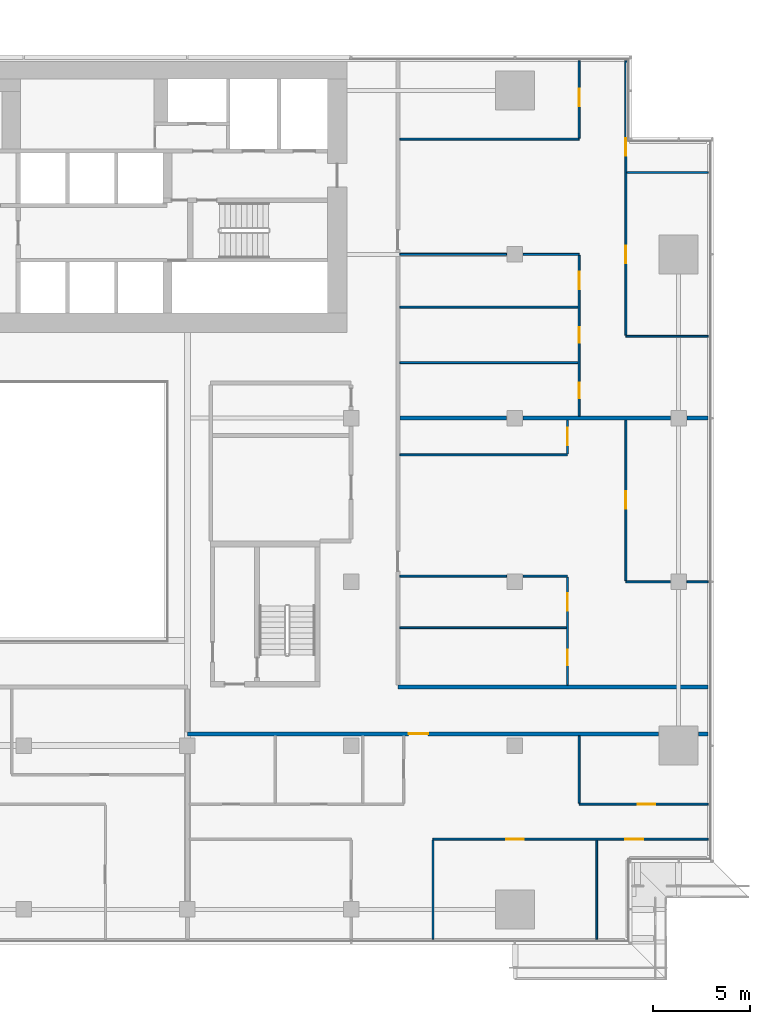
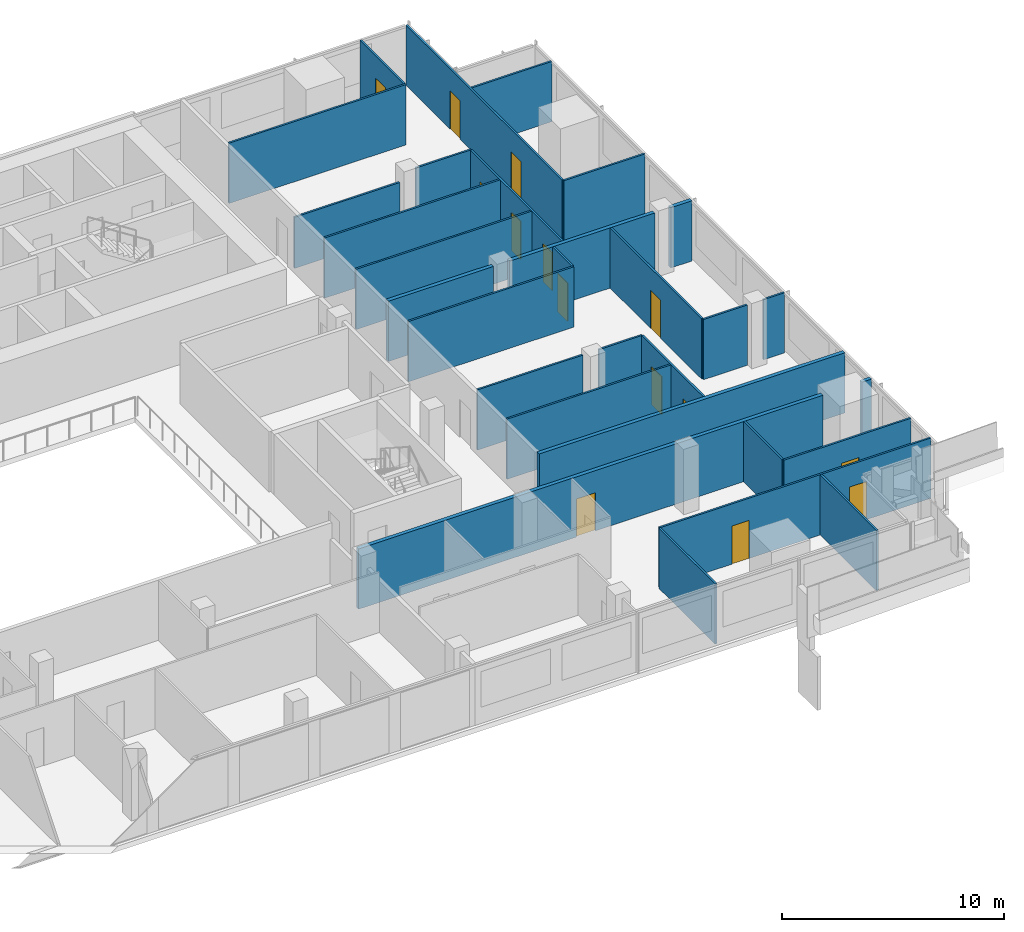
# One storey, part 24 of 30: 30 walls, 14 doors, 14 openings.
"""IFC4 building model written with IfcOpenShell, lengths in metres."""

from ifc_helpers import new_model, si_unit, direction, frame, frame_2d, origin, place, context, subcontext, project, spatial, rectangle, extrude, material, layer, layer_set, type_object, element, fill, save


model = new_model("IFC4")

# Units and contexts
model_context = context("Model", 3, precision=1e-05, world=origin(), true_north=direction((0.0, 1.0)))
body_context = subcontext(model_context, "Body", "Model", "MODEL_VIEW")
ifc_project = project(units=[si_unit("LENGTHUNIT", "METRE"), si_unit("AREAUNIT", "SQUARE_METRE"), si_unit("VOLUMEUNIT", "CUBIC_METRE"), si_unit("PLANEANGLEUNIT", "RADIAN"), si_unit("MASSUNIT", "GRAM", prefix="KILO")], contexts=[model_context])

# Site, building, storey
site_placement = place(None, origin())
site = spatial("IfcSite", under=ifc_project, at=site_placement, CompositionType="ELEMENT")
building_placement = place(site_placement, origin())
building = spatial("IfcBuilding", under=site, at=building_placement, Name="Saffron Gate Tower", CompositionType="ELEMENT")
storey_placement = place(building_placement, frame((0.0, 0.0, 127.64990234375)))
storey = spatial("IfcBuildingStorey", under=building, at=storey_placement, Name="L30", CompositionType="ELEMENT", Elevation=127.64990234375)

# Wall, openings, doors
ifc_material_1 = material(Name="Plasterboard on steel studs", Category="steel")
ifc_layer_1 = layer(ifc_material_1, 0.10009765625)
ifc_layer_set_1 = layer_set([ifc_layer_1], Name="PW1 Partition 100")
wall_type_1 = type_object("IfcWallType", Name="PW1 Partition 100", PredefinedType="PARTITIONING", material=ifc_layer_set_1)
wall_1_placement = place(storey_placement, frame((126.919921875, 35.39990234375, 0.0), z_axis=(0.0, 0.0, 1.0), x_axis=(-1.0, 0.0, 0.0)))
wall_1 = element("IfcWall", 1, at=wall_1_placement, inside=storey, type_object=wall_type_1, Name="Partition B4-3", PredefinedType="PARTITIONING", context=body_context, shape_type="SweptSolid", body=[
    extrude(rectangle(XDim=14.119873046875, YDim=0.10009765625, at=frame_2d((7.06005859375, 0.0))), origin(), (0.0, 0.0, 1.0), 3.320068359375),
])
opening_1_placement = place(wall_1_placement, frame((3.345703125, 0.0, 0.0)))
opening_1 = element("IfcOpeningElement", 2, at=opening_1_placement, cuts=wall_1, Name="Opening B4-20", PredefinedType="OPENING", context=body_context, shape_type="SweptSolid", body=[
    extrude(rectangle(XDim=0.89990234375, YDim=2.10009765625, at=frame_2d((0.449951171875, 1.050048828125))), frame((0.0, 0.06005859375, 0.0), z_axis=(0.0, -1.0, 0.0), x_axis=(1.0, 0.0, 0.0)), (0.0, 0.0, 1.0), 0.1201171875),
])
opening_2_placement = place(wall_1_placement, frame((9.469970703125, 0.0, 0.0)))
opening_2 = element("IfcOpeningElement", 3, at=opening_2_placement, cuts=wall_1, Name="Opening B4-19", PredefinedType="OPENING", context=body_context, shape_type="SweptSolid", body=[
    extrude(rectangle(XDim=0.89990234375, YDim=2.10009765625, at=frame_2d((0.449951171875, 1.050048828125))), frame((0.0, 0.06005859375, 0.0), z_axis=(0.0, -1.0, 0.0), x_axis=(1.0, 0.0, 0.0)), (0.0, 0.0, 1.0), 0.1201171875),
])
ifc_material_2 = material(Name="Timber door set", Category="wood")
door_type_1 = type_object("IfcDoorType", Name="RD1 Room door 900x2100", OperationType="NOTDEFINED", PredefinedType="DOOR", material=ifc_material_2)
door_1_placement = place(opening_1_placement, origin())
door_1 = element("IfcDoor", 4, at=door_1_placement, inside=storey, type_object=door_type_1, Name="Door B4-20", OperationType="SINGLE_SWING_RIGHT", OverallHeight=2.10009765625, OverallWidth=0.89990234375, PredefinedType="DOOR", context=body_context, shape_type="SweptSolid", body=[
    extrude(rectangle(XDim=0.89990234375, YDim=2.10009765625, at=frame_2d((0.449951171875, 1.050048828125))), frame((0.0, 0.02490234375, 0.0), z_axis=(0.0, -1.0, 0.0), x_axis=(1.0, 0.0, 0.0)), (0.0, 0.0, 1.0), 0.050048828125),
])
fill(opening_1, door_1)
door_2_placement = place(opening_2_placement, origin())
door_2 = element("IfcDoor", 5, at=door_2_placement, inside=storey, type_object=door_type_1, Name="Door B4-19", OperationType="SINGLE_SWING_RIGHT", OverallHeight=2.10009765625, OverallWidth=0.89990234375, PredefinedType="DOOR", context=body_context, shape_type="SweptSolid", body=[
    extrude(rectangle(XDim=0.89990234375, YDim=2.10009765625, at=frame_2d((0.449951171875, 1.050048828125))), frame((0.0, 0.02490234375, 0.0), z_axis=(0.0, -1.0, 0.0), x_axis=(1.0, 0.0, 0.0)), (0.0, 0.0, 1.0), 0.050048828125),
])
fill(opening_2, door_2)

# Wall, opening, door
wall_2_placement = place(storey_placement, frame((120.300048828125, 37.199951171875, 0.0), z_axis=(0.0, 0.0, 1.0), x_axis=(1.0, 0.0, 0.0)))
wall_2 = element("IfcWall", 6, at=wall_2_placement, inside=storey, type_object=wall_type_1, Name="Partition B4-8", PredefinedType="PARTITIONING", context=body_context, shape_type="SweptSolid", body=[
    extrude(rectangle(XDim=6.619873046875, YDim=0.10009765625, at=frame_2d((3.31005859375, 0.0))), origin(), (0.0, 0.0, 1.0), 3.320068359375),
])
opening_3_placement = place(wall_2_placement, frame((3.0, 0.0, 0.0)))
opening_3 = element("IfcOpeningElement", 7, at=opening_3_placement, cuts=wall_2, Name="Opening B4-21", PredefinedType="OPENING", context=body_context, shape_type="SweptSolid", body=[
    extrude(rectangle(XDim=0.89990234375, YDim=2.10009765625, at=frame_2d((0.449951171875, 1.050048828125))), frame((0.0, 0.06005859375, 0.0), z_axis=(0.0, -1.0, 0.0), x_axis=(1.0, 0.0, 0.0)), (0.0, 0.0, 1.0), 0.1201171875),
])
door_3_placement = place(opening_3_placement, origin())
door_3 = element("IfcDoor", 8, at=door_3_placement, inside=storey, type_object=door_type_1, Name="Door B4-21", OperationType="SINGLE_SWING_RIGHT", OverallHeight=2.10009765625, OverallWidth=0.89990234375, PredefinedType="DOOR", context=body_context, shape_type="SweptSolid", body=[
    extrude(rectangle(XDim=0.89990234375, YDim=2.10009765625, at=frame_2d((0.449951171875, 1.050048828125))), frame((0.0, 0.02490234375, 0.0), z_axis=(0.0, -1.0, 0.0), x_axis=(1.0, 0.0, 0.0)), (0.0, 0.0, 1.0), 0.050048828125),
])
fill(opening_3, door_3)

# Walls
wall_3_placement = place(storey_placement, frame((111.10009765625, 46.24609375, 0.0), z_axis=(0.0, 0.0, 1.0), x_axis=(1.0, 0.0, 0.0)))
element("IfcWall", 9, at=wall_3_placement, inside=storey, type_object=wall_type_1, Name="Partition B4-19", PredefinedType="PARTITIONING", context=body_context, shape_type="SweptSolid", body=[
    extrude(rectangle(XDim=8.5498046875, YDim=0.10009765625, at=frame_2d((4.27490234375, 0.0))), origin(), (0.0, 0.0, 1.0), 3.320068359375),
])
wall_4_placement = place(storey_placement, frame((122.699951171875, 48.60009765625, 0.0), z_axis=(0.0, 0.0, 1.0), x_axis=(1.0, 0.0, 0.0)))
element("IfcWall", 10, at=wall_4_placement, inside=storey, type_object=wall_type_1, Name="Partition B4-24", PredefinedType="PARTITIONING", context=body_context, shape_type="SweptSolid", body=[
    extrude(rectangle(XDim=2.280029296875, YDim=0.10009765625, at=frame_2d((1.14013671875, 0.0))), origin(), (0.0, 0.0, 1.0), 3.320068359375),
])
wall_5_placement = place(storey_placement, frame((125.820068359375, 48.60009765625, 0.0), z_axis=(0.0, 0.0, 1.0), x_axis=(1.0, 0.0, 0.0)))
element("IfcWall", 11, at=wall_5_placement, inside=storey, type_object=wall_type_1, Name="Partition B4-25", PredefinedType="PARTITIONING", context=body_context, shape_type="SweptSolid", body=[
    extrude(rectangle(XDim=1.099853515625, YDim=0.10009765625, at=frame_2d((0.5498046875, 0.0))), origin(), (0.0, 0.0, 1.0), 3.320068359375),
])
wall_6_placement = place(storey_placement, frame((111.10009765625, 48.89990234375, 0.0), z_axis=(0.0, 0.0, 1.0), x_axis=(1.0, 0.0, 0.0)))
element("IfcWall", 12, at=wall_6_placement, inside=storey, type_object=wall_type_1, Name="Partition B4-26", PredefinedType="PARTITIONING", context=body_context, shape_type="SweptSolid", body=[
    extrude(rectangle(XDim=5.47998046875, YDim=0.10009765625, at=frame_2d((2.739990234375, 0.0))), origin(), (0.0, 0.0, 1.0), 3.320068359375),
])
wall_7_placement = place(storey_placement, frame((117.419921875, 48.89990234375, 0.0), z_axis=(0.0, 0.0, 1.0), x_axis=(1.0, 0.0, 0.0)))
element("IfcWall", 13, at=wall_7_placement, inside=storey, type_object=wall_type_1, Name="Partition B4-27", PredefinedType="PARTITIONING", context=body_context, shape_type="SweptSolid", body=[
    extrude(rectangle(XDim=2.280029296875, YDim=0.10009765625, at=frame_2d((1.14013671875, 0.0))), origin(), (0.0, 0.0, 1.0), 3.320068359375),
])
wall_8_placement = place(storey_placement, frame((111.10009765625, 55.112548828125, 0.0), z_axis=(0.0, 0.0, 1.0), x_axis=(1.0, 0.0, 0.0)))
element("IfcWall", 14, at=wall_8_placement, inside=storey, type_object=wall_type_1, Name="Partition B4-31", PredefinedType="PARTITIONING", context=body_context, shape_type="SweptSolid", body=[
    extrude(rectangle(XDim=8.599853515625, YDim=0.10009765625, at=frame_2d((4.2998046875, 0.0))), origin(), (0.0, 0.0, 1.0), 3.320068359375),
])
wall_9_placement = place(storey_placement, frame((111.10009765625, 59.849609375, 0.0), z_axis=(0.0, 0.0, 1.0), x_axis=(1.0, 0.0, 0.0)))
element("IfcWall", 15, at=wall_9_placement, inside=storey, type_object=wall_type_1, Name="Partition B4-41", PredefinedType="PARTITIONING", context=body_context, shape_type="SweptSolid", body=[
    extrude(rectangle(XDim=9.14990234375, YDim=0.10009765625, at=frame_2d((4.574951171875, 0.0))), origin(), (0.0, 0.0, 1.0), 3.320068359375),
])
wall_10_placement = place(storey_placement, frame((122.699951171875, 61.199951171875, 0.0), z_axis=(0.0, 0.0, 1.0), x_axis=(1.0, 0.0, 0.0)))
element("IfcWall", 16, at=wall_10_placement, inside=storey, type_object=wall_type_1, Name="Partition B4-42", PredefinedType="PARTITIONING", context=body_context, shape_type="SweptSolid", body=[
    extrude(rectangle(XDim=4.219970703125, YDim=0.10009765625, at=frame_2d((2.10986328125, 0.0))), origin(), (0.0, 0.0, 1.0), 3.320068359375),
])
wall_11_placement = place(storey_placement, frame((111.10009765625, 62.698974609375, 0.0), z_axis=(0.0, 0.0, 1.0), x_axis=(1.0, 0.0, 0.0)))
element("IfcWall", 17, at=wall_11_placement, inside=storey, type_object=wall_type_1, Name="Partition B4-43", PredefinedType="PARTITIONING", context=body_context, shape_type="SweptSolid", body=[
    extrude(rectangle(XDim=9.14990234375, YDim=0.10009765625, at=frame_2d((4.574951171875, 0.0))), origin(), (0.0, 0.0, 1.0), 3.320068359375),
])
wall_12_placement = place(storey_placement, frame((111.10009765625, 65.39990234375, 0.0), z_axis=(0.0, 0.0, 1.0), x_axis=(1.0, 0.0, 0.0)))
element("IfcWall", 18, at=wall_12_placement, inside=storey, type_object=wall_type_1, Name="Partition B4-47", PredefinedType="PARTITIONING", context=body_context, shape_type="SweptSolid", body=[
    extrude(rectangle(XDim=5.47998046875, YDim=0.10009765625, at=frame_2d((2.739990234375, 0.0))), origin(), (0.0, 0.0, 1.0), 2.820068359375),
])
wall_13_placement = place(storey_placement, frame((117.419921875, 65.39990234375, 0.0), z_axis=(0.0, 0.0, 1.0), x_axis=(1.0, 0.0, 0.0)))
element("IfcWall", 19, at=wall_13_placement, inside=storey, type_object=wall_type_1, Name="Partition B4-48", PredefinedType="PARTITIONING", context=body_context, shape_type="SweptSolid", body=[
    extrude(rectangle(XDim=2.880126953125, YDim=0.10009765625, at=frame_2d((1.43994140625, 0.0))), origin(), (0.0, 0.0, 1.0), 3.320068359375),
])
wall_14_placement = place(storey_placement, frame((122.75, 69.60009765625, 0.0), z_axis=(0.0, 0.0, 1.0), x_axis=(1.0, 0.0, 0.0)))
element("IfcWall", 20, at=wall_14_placement, inside=storey, type_object=wall_type_1, Name="Partition B4-51", PredefinedType="PARTITIONING", context=body_context, shape_type="SweptSolid", body=[
    extrude(rectangle(XDim=4.169921875, YDim=0.10009765625, at=frame_2d((2.0849609375, 0.0))), origin(), (0.0, 0.0, 1.0), 3.320068359375),
])
wall_15_placement = place(storey_placement, frame((111.10009765625, 71.30859375, 0.0), z_axis=(0.0, 0.0, 1.0), x_axis=(1.0, 0.0, 0.0)))
element("IfcWall", 21, at=wall_15_placement, inside=storey, type_object=wall_type_1, Name="Partition B4-52", PredefinedType="PARTITIONING", context=body_context, shape_type="SweptSolid", body=[
    extrude(rectangle(XDim=9.199951171875, YDim=0.10009765625, at=frame_2d((4.60009765625, 0.0))), origin(), (0.0, 0.0, 1.0), 3.320068359375),
])
wall_16_placement = place(storey_placement, frame((112.800048828125, 35.35009765625, 0.0), z_axis=(0.0, 0.0, 1.0), x_axis=(0.0, -1.0, 0.0)))
element("IfcWall", 22, at=wall_16_placement, inside=storey, type_object=wall_type_1, Name="Partition B4-94", PredefinedType="PARTITIONING", context=body_context, shape_type="SweptSolid", body=[
    extrude(rectangle(XDim=5.070068359375, YDim=0.10009765625, at=frame_2d((2.53515625, 0.0))), origin(), (0.0, 0.0, 1.0), 3.320068359375),
])

# Wall, openings, doors
wall_17_placement = place(storey_placement, frame((119.699951171875, 43.300048828125, 0.0), z_axis=(0.0, 0.0, 1.0), x_axis=(0.0, 1.0, 0.0)))
wall_17 = element("IfcWall", 23, at=wall_17_placement, inside=storey, type_object=wall_type_1, Name="Partition B4-95", PredefinedType="PARTITIONING", context=body_context, shape_type="SweptSolid", body=[
    extrude(rectangle(XDim=5.550048828125, YDim=0.10009765625, at=frame_2d((2.77490234375, 0.0))), origin(), (0.0, 0.0, 1.0), 3.320068359375),
])
opening_4_placement = place(wall_17_placement, frame((1.02294921875, 0.0, 0.0)))
opening_4 = element("IfcOpeningElement", 24, at=opening_4_placement, cuts=wall_17, Name="Opening B4-45", PredefinedType="OPENING", context=body_context, shape_type="SweptSolid", body=[
    extrude(rectangle(XDim=0.800048828125, YDim=2.10009765625, at=frame_2d((0.39990234375, 1.050048828125))), frame((0.0, 0.06005859375, 0.0), z_axis=(0.0, -1.0, 0.0), x_axis=(1.0, 0.0, 0.0)), (0.0, 0.0, 1.0), 0.1201171875),
])
opening_5_placement = place(wall_17_placement, frame((3.822998046875, 0.0, 0.0)))
opening_5 = element("IfcOpeningElement", 25, at=opening_5_placement, cuts=wall_17, Name="Opening B4-30", PredefinedType="OPENING", context=body_context, shape_type="SweptSolid", body=[
    extrude(rectangle(XDim=0.89990234375, YDim=2.10009765625, at=frame_2d((0.449951171875, 1.050048828125))), frame((0.0, 0.06005859375, 0.0), z_axis=(0.0, -1.0, 0.0), x_axis=(1.0, 0.0, 0.0)), (0.0, 0.0, 1.0), 0.1201171875),
])
door_4_placement = place(opening_5_placement, origin())
door_4 = element("IfcDoor", 26, at=door_4_placement, inside=storey, type_object=door_type_1, Name="Door B4-30", OperationType="SINGLE_SWING_RIGHT", OverallHeight=2.10009765625, OverallWidth=0.89990234375, PredefinedType="DOOR", context=body_context, shape_type="SweptSolid", body=[
    extrude(rectangle(XDim=0.89990234375, YDim=2.10009765625, at=frame_2d((0.449951171875, 1.050048828125))), frame((0.0, 0.02490234375, 0.0), z_axis=(0.0, -1.0, 0.0), x_axis=(1.0, 0.0, 0.0)), (0.0, 0.0, 1.0), 0.050048828125),
])
fill(opening_5, door_4)
door_type_2 = type_object("IfcDoorType", Name="RD2 Bathroom door 800x2100", OperationType="NOTDEFINED", PredefinedType="DOOR", material=ifc_material_2)
door_5_placement = place(opening_4_placement, origin())
door_5 = element("IfcDoor", 27, at=door_5_placement, inside=storey, type_object=door_type_2, Name="Door B4-45", OperationType="SINGLE_SWING_LEFT", OverallHeight=2.10009765625, OverallWidth=0.800048828125, PredefinedType="DOOR", context=body_context, shape_type="SweptSolid", body=[
    extrude(rectangle(XDim=0.800048828125, YDim=2.10009765625, at=frame_2d((0.39990234375, 1.050048828125))), frame((0.0, 0.02490234375, 0.0), z_axis=(0.0, -1.0, 0.0), x_axis=(1.0, 0.0, 0.0)), (0.0, 0.0, 1.0), 0.050048828125),
])
fill(opening_4, door_5)

# Wall, opening, door
wall_18_placement = place(storey_placement, frame((119.699951171875, 55.16259765625, 0.0), z_axis=(0.0, 0.0, 1.0), x_axis=(0.0, 1.0, 0.0)))
wall_18 = element("IfcWall", 28, at=wall_18_placement, inside=storey, type_object=wall_type_1, Name="Partition B4-96", PredefinedType="PARTITIONING", context=body_context, shape_type="SweptSolid", body=[
    extrude(rectangle(XDim=1.7373046875, YDim=0.10009765625, at=frame_2d((0.86865234375, 0.0))), origin(), (0.0, 0.0, 1.0), 3.320068359375),
])
opening_6_placement = place(wall_18_placement, frame((0.443603515625, 0.0, 0.0)))
opening_6 = element("IfcOpeningElement", 29, at=opening_6_placement, cuts=wall_18, Name="Opening B4-29", PredefinedType="OPENING", context=body_context, shape_type="SweptSolid", body=[
    extrude(rectangle(XDim=0.89990234375, YDim=2.10009765625, at=frame_2d((0.449951171875, 1.050048828125))), frame((0.0, 0.06005859375, 0.0), z_axis=(0.0, -1.0, 0.0), x_axis=(1.0, 0.0, 0.0)), (0.0, 0.0, 1.0), 0.1201171875),
])
door_6_placement = place(opening_6_placement, origin())
door_6 = element("IfcDoor", 30, at=door_6_placement, inside=storey, type_object=door_type_1, Name="Door B4-29", OperationType="SINGLE_SWING_RIGHT", OverallHeight=2.10009765625, OverallWidth=0.89990234375, PredefinedType="DOOR", context=body_context, shape_type="SweptSolid", body=[
    extrude(rectangle(XDim=0.89990234375, YDim=2.10009765625, at=frame_2d((0.449951171875, 1.050048828125))), frame((0.0, 0.02490234375, 0.0), z_axis=(0.0, -1.0, 0.0), x_axis=(1.0, 0.0, 0.0)), (0.0, 0.0, 1.0), 0.050048828125),
])
fill(opening_6, door_6)

# Wall
wall_19_placement = place(storey_placement, frame((120.300048828125, 40.699951171875, 0.0), z_axis=(0.0, 0.0, 1.0), x_axis=(0.0, -1.0, 0.0)))
element("IfcWall", 31, at=wall_19_placement, inside=storey, type_object=wall_type_1, Name="Partition B4-97", PredefinedType="PARTITIONING", context=body_context, shape_type="SweptSolid", body=[
    extrude(rectangle(XDim=3.449951171875, YDim=0.10009765625, at=frame_2d((1.72509765625, 0.0))), origin(), (0.0, 0.0, 1.0), 3.320068359375),
])

# Wall, openings, doors
wall_20_placement = place(storey_placement, frame((120.300048828125, 57.10009765625, 0.0), z_axis=(0.0, 0.0, 1.0), x_axis=(0.0, 1.0, 0.0)))
wall_20 = element("IfcWall", 32, at=wall_20_placement, inside=storey, type_object=wall_type_1, Name="Partition B4-98", PredefinedType="PARTITIONING", context=body_context, shape_type="SweptSolid", body=[
    extrude(rectangle(XDim=8.25, YDim=0.10009765625, at=frame_2d((4.125, 0.0))), origin(), (0.0, 0.0, 1.0), 3.320068359375),
])
opening_7_placement = place(wall_20_placement, frame((0.9248046875, 0.0, 0.0)))
opening_7 = element("IfcOpeningElement", 33, at=opening_7_placement, cuts=wall_20, Name="Opening B4-46", PredefinedType="OPENING", context=body_context, shape_type="SweptSolid", body=[
    extrude(rectangle(XDim=0.800048828125, YDim=2.10009765625, at=frame_2d((0.39990234375, 1.050048828125))), frame((0.0, 0.06005859375, 0.0), z_axis=(0.0, -1.0, 0.0), x_axis=(1.0, 0.0, 0.0)), (0.0, 0.0, 1.0), 0.1201171875),
])
opening_8_placement = place(wall_20_placement, frame((3.774169921875, 0.0, 0.0)))
opening_8 = element("IfcOpeningElement", 34, at=opening_8_placement, cuts=wall_20, Name="Opening B4-47", PredefinedType="OPENING", context=body_context, shape_type="SweptSolid", body=[
    extrude(rectangle(XDim=0.800048828125, YDim=2.10009765625, at=frame_2d((0.39990234375, 1.050048828125))), frame((0.0, 0.06005859375, 0.0), z_axis=(0.0, -1.0, 0.0), x_axis=(1.0, 0.0, 0.0)), (0.0, 0.0, 1.0), 0.1201171875),
])
opening_9_placement = place(wall_20_placement, frame((6.49951171875, 0.0, 0.0)))
opening_9 = element("IfcOpeningElement", 35, at=opening_9_placement, cuts=wall_20, Name="Opening B4-34", PredefinedType="OPENING", context=body_context, shape_type="SweptSolid", body=[
    extrude(rectangle(XDim=0.89990234375, YDim=2.10009765625, at=frame_2d((0.449951171875, 1.050048828125))), frame((0.0, 0.06005859375, 0.0), z_axis=(0.0, -1.0, 0.0), x_axis=(1.0, 0.0, 0.0)), (0.0, 0.0, 1.0), 0.1201171875),
])
door_7_placement = place(opening_9_placement, origin())
door_7 = element("IfcDoor", 36, at=door_7_placement, inside=storey, type_object=door_type_1, Name="Door B4-34", OperationType="SINGLE_SWING_RIGHT", OverallHeight=2.10009765625, OverallWidth=0.89990234375, PredefinedType="DOOR", context=body_context, shape_type="SweptSolid", body=[
    extrude(rectangle(XDim=0.89990234375, YDim=2.10009765625, at=frame_2d((0.449951171875, 1.050048828125))), frame((0.0, 0.02490234375, 0.0), z_axis=(0.0, -1.0, 0.0), x_axis=(1.0, 0.0, 0.0)), (0.0, 0.0, 1.0), 0.050048828125),
])
fill(opening_9, door_7)
door_8_placement = place(opening_7_placement, origin())
door_8 = element("IfcDoor", 37, at=door_8_placement, inside=storey, type_object=door_type_2, Name="Door B4-46", OperationType="SINGLE_SWING_LEFT", OverallHeight=2.10009765625, OverallWidth=0.800048828125, PredefinedType="DOOR", context=body_context, shape_type="SweptSolid", body=[
    extrude(rectangle(XDim=0.800048828125, YDim=2.10009765625, at=frame_2d((0.39990234375, 1.050048828125))), frame((0.0, 0.02490234375, 0.0), z_axis=(0.0, -1.0, 0.0), x_axis=(1.0, 0.0, 0.0)), (0.0, 0.0, 1.0), 0.050048828125),
])
fill(opening_7, door_8)
door_9_placement = place(opening_8_placement, origin())
door_9 = element("IfcDoor", 38, at=door_9_placement, inside=storey, type_object=door_type_2, Name="Door B4-47", OperationType="SINGLE_SWING_LEFT", OverallHeight=2.10009765625, OverallWidth=0.800048828125, PredefinedType="DOOR", context=body_context, shape_type="SweptSolid", body=[
    extrude(rectangle(XDim=0.800048828125, YDim=2.10009765625, at=frame_2d((0.39990234375, 1.050048828125))), frame((0.0, 0.02490234375, 0.0), z_axis=(0.0, -1.0, 0.0), x_axis=(1.0, 0.0, 0.0)), (0.0, 0.0, 1.0), 0.050048828125),
])
fill(opening_8, door_9)

# Wall, opening, door
wall_21_placement = place(storey_placement, frame((120.300048828125, 71.358642578125, 0.0), z_axis=(0.0, 0.0, 1.0), x_axis=(0.0, 1.0, 0.0)))
wall_21 = element("IfcWall", 39, at=wall_21_placement, inside=storey, type_object=wall_type_1, Name="Partition B4-99", PredefinedType="PARTITIONING", context=body_context, shape_type="SweptSolid", body=[
    extrude(rectangle(XDim=3.96142578125, YDim=0.10009765625, at=frame_2d((1.980712890625, 0.0))), origin(), (0.0, 0.0, 1.0), 3.320068359375),
])
opening_10_placement = place(wall_21_placement, frame((1.645751953125, 0.0, 0.0)))
opening_10 = element("IfcOpeningElement", 40, at=opening_10_placement, cuts=wall_21, Name="Opening B4-33", PredefinedType="OPENING", context=body_context, shape_type="SweptSolid", body=[
    extrude(rectangle(XDim=0.89990234375, YDim=2.10009765625, at=frame_2d((0.449951171875, 1.050048828125))), frame((0.0, 0.06005859375, 0.0), z_axis=(0.0, -1.0, 0.0), x_axis=(1.0, 0.0, 0.0)), (0.0, 0.0, 1.0), 0.1201171875),
])
door_10_placement = place(opening_10_placement, origin())
door_10 = element("IfcDoor", 41, at=door_10_placement, inside=storey, type_object=door_type_1, Name="Door B4-33", OperationType="SINGLE_SWING_RIGHT", OverallHeight=2.10009765625, OverallWidth=0.89990234375, PredefinedType="DOOR", context=body_context, shape_type="SweptSolid", body=[
    extrude(rectangle(XDim=0.89990234375, YDim=2.10009765625, at=frame_2d((0.449951171875, 1.050048828125))), frame((0.0, 0.02490234375, 0.0), z_axis=(0.0, -1.0, 0.0), x_axis=(1.0, 0.0, 0.0)), (0.0, 0.0, 1.0), 0.050048828125),
])
fill(opening_10, door_10)

# Wall
wall_22_placement = place(storey_placement, frame((121.199951171875, 35.35009765625, 0.0), z_axis=(0.0, 0.0, 1.0), x_axis=(0.0, -1.0, 0.0)))
element("IfcWall", 42, at=wall_22_placement, inside=storey, type_object=wall_type_1, Name="Partition B4-100", PredefinedType="PARTITIONING", context=body_context, shape_type="SweptSolid", body=[
    extrude(rectangle(XDim=5.070068359375, YDim=0.10009765625, at=frame_2d((2.53515625, 0.0))), origin(), (0.0, 0.0, 1.0), 3.320068359375),
])

# Wall, opening, door
wall_23_placement = place(storey_placement, frame((122.699951171875, 56.89990234375, 0.0), z_axis=(0.0, 0.0, 1.0), x_axis=(0.0, -1.0, 0.0)))
wall_23 = element("IfcWall", 43, at=wall_23_placement, inside=storey, type_object=wall_type_1, Name="Partition B4-101", PredefinedType="PARTITIONING", context=body_context, shape_type="SweptSolid", body=[
    extrude(rectangle(XDim=8.25, YDim=0.10009765625, at=frame_2d((4.125, 0.0))), origin(), (0.0, 0.0, 1.0), 3.320068359375),
])
opening_11_placement = place(wall_23_placement, frame((3.64990234375, 0.0, 0.0)))
opening_11 = element("IfcOpeningElement", 44, at=opening_11_placement, cuts=wall_23, Name="Opening B4-28", PredefinedType="OPENING", context=body_context, shape_type="SweptSolid", body=[
    extrude(rectangle(XDim=0.89990234375, YDim=2.10009765625, at=frame_2d((0.449951171875, 1.050048828125))), frame((0.0, 0.06005859375, 0.0), z_axis=(0.0, -1.0, 0.0), x_axis=(1.0, 0.0, 0.0)), (0.0, 0.0, 1.0), 0.1201171875),
])
door_11_placement = place(opening_11_placement, origin())
door_11 = element("IfcDoor", 45, at=door_11_placement, inside=storey, type_object=door_type_1, Name="Door B4-28", OperationType="SINGLE_SWING_LEFT", OverallHeight=2.10009765625, OverallWidth=0.89990234375, PredefinedType="DOOR", context=body_context, shape_type="SweptSolid", body=[
    extrude(rectangle(XDim=0.89990234375, YDim=2.10009765625, at=frame_2d((0.449951171875, 1.050048828125))), frame((0.0, 0.02490234375, 0.0), z_axis=(0.0, -1.0, 0.0), x_axis=(1.0, 0.0, 0.0)), (0.0, 0.0, 1.0), 0.050048828125),
])
fill(opening_11, door_11)

# Wall, openings, doors
wall_24_placement = place(storey_placement, frame((122.699951171875, 75.320068359375, 0.0), z_axis=(0.0, 0.0, 1.0), x_axis=(0.0, -1.0, 0.0)))
wall_24 = element("IfcWall", 46, at=wall_24_placement, inside=storey, type_object=wall_type_1, Name="Partition B4-102", PredefinedType="PARTITIONING", context=body_context, shape_type="SweptSolid", body=[
    extrude(rectangle(XDim=14.070068359375, YDim=0.10009765625, at=frame_2d((7.03515625, 0.0))), origin(), (0.0, 0.0, 1.0), 3.320068359375),
])
opening_12_placement = place(wall_24_placement, frame((3.96630859375, 0.0, 0.0)))
opening_12 = element("IfcOpeningElement", 47, at=opening_12_placement, cuts=wall_24, Name="Opening B4-32", PredefinedType="OPENING", context=body_context, shape_type="SweptSolid", body=[
    extrude(rectangle(XDim=0.89990234375, YDim=2.10009765625, at=frame_2d((0.449951171875, 1.050048828125))), frame((0.0, 0.06005859375, 0.0), z_axis=(0.0, -1.0, 0.0), x_axis=(1.0, 0.0, 0.0)), (0.0, 0.0, 1.0), 0.1201171875),
])
opening_13_placement = place(wall_24_placement, frame((9.469970703125, 0.0, 0.0)))
opening_13 = element("IfcOpeningElement", 48, at=opening_13_placement, cuts=wall_24, Name="Opening B4-31", PredefinedType="OPENING", context=body_context, shape_type="SweptSolid", body=[
    extrude(rectangle(XDim=0.89990234375, YDim=2.10009765625, at=frame_2d((0.449951171875, 1.050048828125))), frame((0.0, 0.06005859375, 0.0), z_axis=(0.0, -1.0, 0.0), x_axis=(1.0, 0.0, 0.0)), (0.0, 0.0, 1.0), 0.1201171875),
])
door_12_placement = place(opening_12_placement, origin())
door_12 = element("IfcDoor", 49, at=door_12_placement, inside=storey, type_object=door_type_1, Name="Door B4-32", OperationType="SINGLE_SWING_RIGHT", OverallHeight=2.10009765625, OverallWidth=0.89990234375, PredefinedType="DOOR", context=body_context, shape_type="SweptSolid", body=[
    extrude(rectangle(XDim=0.89990234375, YDim=2.10009765625, at=frame_2d((0.449951171875, 1.050048828125))), frame((0.0, 0.02490234375, 0.0), z_axis=(0.0, -1.0, 0.0), x_axis=(1.0, 0.0, 0.0)), (0.0, 0.0, 1.0), 0.050048828125),
])
fill(opening_12, door_12)
door_13_placement = place(opening_13_placement, origin())
door_13 = element("IfcDoor", 50, at=door_13_placement, inside=storey, type_object=door_type_1, Name="Door B4-31", OperationType="SINGLE_SWING_RIGHT", OverallHeight=2.10009765625, OverallWidth=0.89990234375, PredefinedType="DOOR", context=body_context, shape_type="SweptSolid", body=[
    extrude(rectangle(XDim=0.89990234375, YDim=2.10009765625, at=frame_2d((0.449951171875, 1.050048828125))), frame((0.0, 0.02490234375, 0.0), z_axis=(0.0, -1.0, 0.0), x_axis=(1.0, 0.0, 0.0)), (0.0, 0.0, 1.0), 0.050048828125),
])
fill(opening_13, door_13)

# Walls
ifc_material_3 = material(Name="Clay brick masonry, rendered", Category="masonry")
ifc_layer_2 = layer(ifc_material_3, 0.199951171875)
ifc_layer_set_2 = layer_set([ifc_layer_2], Name="PW2 Demising wall 200")
wall_type_2 = type_object("IfcWallType", Name="PW2 Demising wall 200", PredefinedType="PARTITIONING", material=ifc_layer_set_2)
wall_25_placement = place(storey_placement, frame((111.10009765625, 57.0, 0.0), z_axis=(0.0, 0.0, 1.0), x_axis=(1.0, 0.0, 0.0)))
element("IfcWall", 51, at=wall_25_placement, inside=storey, type_object=wall_type_2, Name="Wall B4-33", PredefinedType="PARTITIONING", context=body_context, shape_type="SweptSolid", body=[
    extrude(rectangle(XDim=5.47998046875, YDim=0.199951171875, at=frame_2d((2.739990234375, 0.0))), origin(), (0.0, 0.0, 1.0), 3.320068359375),
])
wall_26_placement = place(storey_placement, frame((117.419921875, 57.0, 0.0), z_axis=(0.0, 0.0, 1.0), x_axis=(1.0, 0.0, 0.0)))
element("IfcWall", 52, at=wall_26_placement, inside=storey, type_object=wall_type_2, Name="Wall B4-34", PredefinedType="PARTITIONING", context=body_context, shape_type="SweptSolid", body=[
    extrude(rectangle(XDim=7.56005859375, YDim=0.199951171875, at=frame_2d((3.780029296875, 0.0))), origin(), (0.0, 0.0, 1.0), 3.320068359375),
])
wall_27_placement = place(storey_placement, frame((125.820068359375, 57.0, 0.0), z_axis=(0.0, 0.0, 1.0), x_axis=(1.0, 0.0, 0.0)))
element("IfcWall", 53, at=wall_27_placement, inside=storey, type_object=wall_type_2, Name="Wall B4-35", PredefinedType="PARTITIONING", context=body_context, shape_type="SweptSolid", body=[
    extrude(rectangle(XDim=1.099853515625, YDim=0.199951171875, at=frame_2d((0.5498046875, 0.0))), origin(), (0.0, 0.0, 1.0), 3.320068359375),
])

# Wall, opening, door
ifc_layer_3 = layer(ifc_material_3, 0.199951171875)
ifc_layer_set_3 = layer_set([ifc_layer_3], Name="PW3 Corridor wall 200")
wall_type_3 = type_object("IfcWallType", Name="PW3 Corridor wall 200", PredefinedType="PARTITIONING", material=ifc_layer_set_3)
wall_28_placement = place(storey_placement, frame((124.3798828125, 40.800048828125, 0.0), z_axis=(0.0, 0.0, 1.0), x_axis=(-1.0, 0.0, 0.0)))
wall_28 = element("IfcWall", 54, at=wall_28_placement, inside=storey, type_object=wall_type_3, Name="Wall B4-13", PredefinedType="PARTITIONING", context=body_context, shape_type="SweptSolid", body=[
    extrude(rectangle(XDim=24.179931640625, YDim=0.199951171875, at=frame_2d((12.08984375, 0.0))), origin(), (0.0, 0.0, 1.0), 3.320068359375),
])
opening_14_placement = place(wall_28_placement, frame((11.830078125, 0.0, 0.0)))
opening_14 = element("IfcOpeningElement", 55, at=opening_14_placement, cuts=wall_28, Name="Opening B4-3", PredefinedType="OPENING", context=body_context, shape_type="SweptSolid", body=[
    extrude(rectangle(XDim=1.0, YDim=2.10009765625, at=frame_2d((0.5, 1.050048828125))), frame((0.0, 0.10986328125, 0.0), z_axis=(0.0, -1.0, 0.0), x_axis=(1.0, 0.0, 0.0)), (0.0, 0.0, 1.0), 0.219970703125),
])
ifc_material_4 = material(Name="Timber fire door set", Category="wood")
door_type_3 = type_object("IfcDoorType", Name="FD1 Flat entry door 1000x2100", OperationType="NOTDEFINED", PredefinedType="DOOR", material=ifc_material_4)
door_14_placement = place(opening_14_placement, origin())
door_14 = element("IfcDoor", 56, at=door_14_placement, inside=storey, type_object=door_type_3, Name="Door B4-3", OperationType="SINGLE_SWING_RIGHT", OverallHeight=2.10009765625, OverallWidth=1.0, PredefinedType="DOOR", context=body_context, shape_type="SweptSolid", body=[
    extrude(rectangle(XDim=1.0, YDim=2.10009765625, at=frame_2d((0.5, 1.050048828125))), frame((0.0, 0.02490234375, 0.0), z_axis=(0.0, -1.0, 0.0), x_axis=(1.0, 0.0, 0.0)), (0.0, 0.0, 1.0), 0.050048828125),
])
fill(opening_14, door_14)

# Walls
wall_29_placement = place(storey_placement, frame((126.419921875, 40.800048828125, 0.0), z_axis=(0.0, 0.0, 1.0), x_axis=(1.0, 0.0, 0.0)))
element("IfcWall", 57, at=wall_29_placement, inside=storey, type_object=wall_type_3, Name="Wall B4-14", PredefinedType="PARTITIONING", context=body_context, shape_type="SweptSolid", body=[
    extrude(rectangle(XDim=0.5, YDim=0.199951171875, at=frame_2d((0.25, 0.0))), origin(), (0.0, 0.0, 1.0), 3.320068359375),
])
wall_30_placement = place(storey_placement, frame((111.0, 43.199951171875, 0.0), z_axis=(0.0, 0.0, 1.0), x_axis=(1.0, 0.0, 0.0)))
element("IfcWall", 58, at=wall_30_placement, inside=storey, type_object=wall_type_3, Name="Wall B4-17", PredefinedType="PARTITIONING", context=body_context, shape_type="SweptSolid", body=[
    extrude(rectangle(XDim=15.919921875, YDim=0.199951171875, at=frame_2d((7.9599609375, 0.0))), origin(), (0.0, 0.0, 1.0), 3.320068359375),
])

save(model, "model.ifc")
